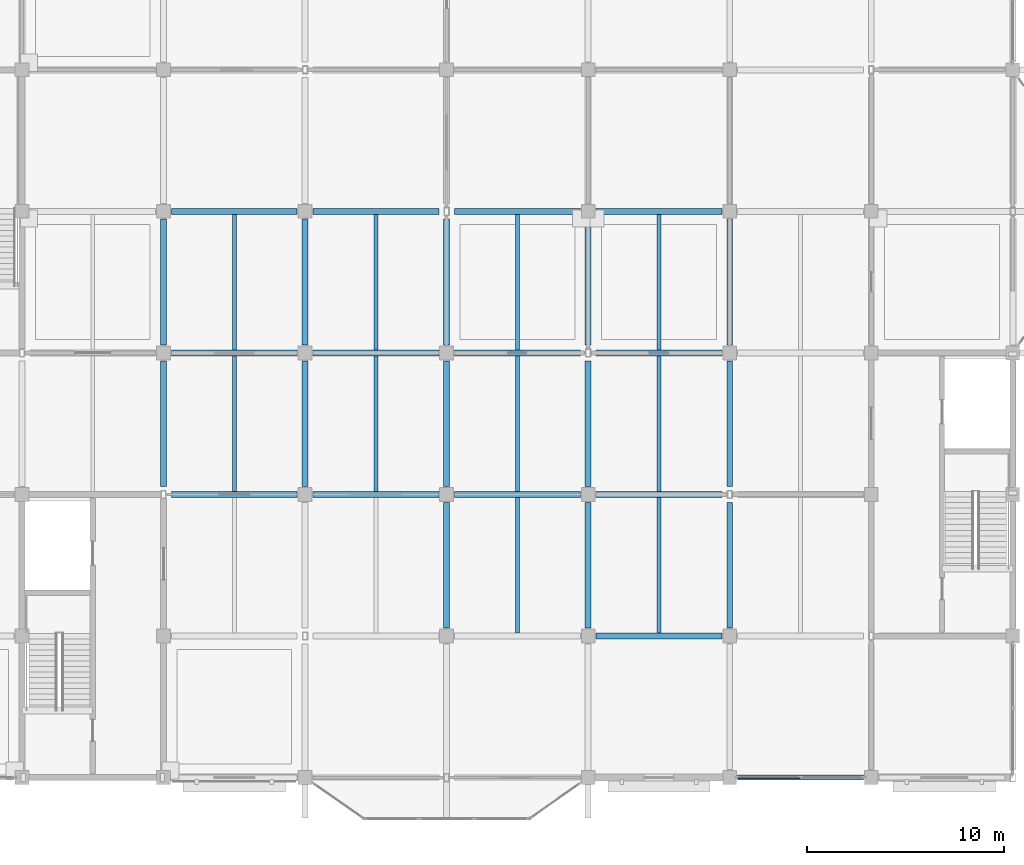
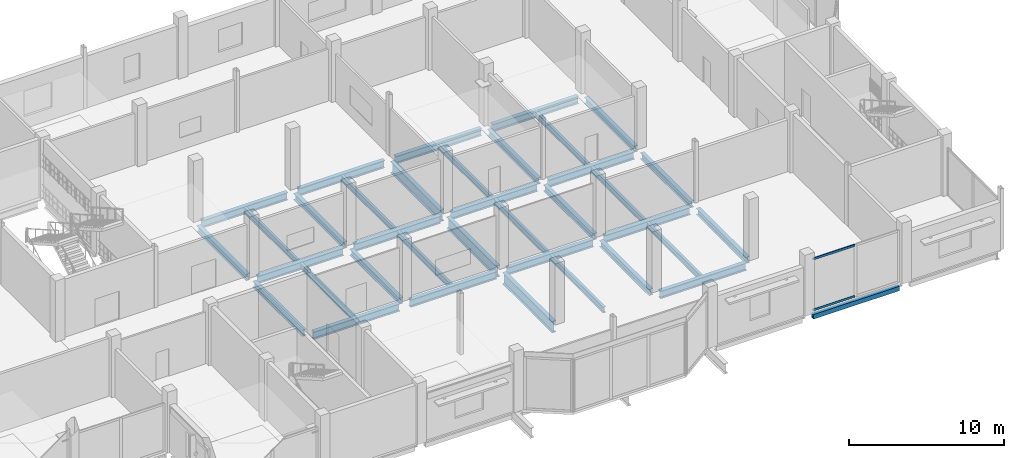
# One storey, part 66 of 120: 37 beams, 2 members, 1 element without a shape of its own.
"""IFC4 building model written with IfcOpenShell, lengths in metres."""

from ifc_helpers import new_model, si_unit, direction, frame, origin, origin_2d, place, context, subcontext, project, spatial, hollow_rectangle, i_section, extrude, material, material_profile, profile_set, type_object, element, aggregate, save


model = new_model("IFC4")

# Units and contexts
model_context = context("Model", 3, precision=1e-05, world=origin(), true_north=direction((0.0, 1.0)))
body_context = subcontext(model_context, "Body", "Model", "MODEL_VIEW")
ifc_project = project(units=[si_unit("LENGTHUNIT", "METRE"), si_unit("AREAUNIT", "SQUARE_METRE"), si_unit("VOLUMEUNIT", "CUBIC_METRE"), si_unit("PLANEANGLEUNIT", "RADIAN"), si_unit("MASSUNIT", "GRAM", prefix="KILO")], contexts=[model_context])

# Site, building, storey
site_placement = place(None, origin())
site = spatial("IfcSite", under=ifc_project, at=site_placement, CompositionType="ELEMENT")
building_placement = place(site_placement, origin())
building = spatial("IfcBuilding", under=site, at=building_placement, Name="Vesperath Aquatics Centre", CompositionType="ELEMENT")
storey_placement = place(building_placement, frame((0.0, 0.0, 10.199951171875)))
storey = spatial("IfcBuildingStorey", under=building, at=storey_placement, Name="L02", CompositionType="ELEMENT", Elevation=10.199951171875)

# Beams
ifc_material_1 = material(Name="Steel Q355D", Category="steel")
ifc_material_profile_1 = material_profile(ifc_material_1, i_section(OverallWidth=0.300048828125, OverallDepth=0.89990234375, WebThickness=0.01611328125, FlangeThickness=0.028076171875, FilletRadius=0.028076171875, at=origin_2d()), Name="HN 900x300x16x28")
ifc_profile_set_1 = profile_set([ifc_material_profile_1], Name="Steel Q355D")
beam_type_1 = type_object("IfcBeamType", Name="BM-G06", PredefinedType="BEAM", material=ifc_profile_set_1)
for number, where, z_axis, x_axis, name in (
    (1, (144.0, 7.60009765625, -0.7099609375), (0.0, 1.0, 0.0), (-1.0, 0.0, 0.0), "Floor Girder B06 L02 21 B-C"),
    (2, (144.0, 14.800048828125, -0.7099609375), (0.0, 1.0, 0.0), (-1.0, 0.0, 0.0), "Floor Girder B06 L02 21 C-D"),
    (3, (144.0, 22.0, -0.7099609375), (0.0, 1.0, 0.0), (-1.0, 0.0, 0.0), "Floor Girder B06 L02 21 D-E"),
):
    element("IfcBeam", number, at=place(storey_placement, frame(where, z_axis=z_axis, x_axis=x_axis)), inside=storey, type_object=beam_type_1, Name=name, PredefinedType="BEAM", context=body_context, shape_type="SweptSolid", body=[
        extrude(i_section(OverallWidth=0.300048828125, OverallDepth=0.89990234375, WebThickness=0.01611328125, FlangeThickness=0.028076171875, FilletRadius=0.028076171875, at=origin_2d()), origin(), (0.0, 0.0, 1.0), 6.39990234375),
    ])
ifc_material_2 = material(Name="Steel Q355C", Category="steel")
ifc_material_profile_2 = material_profile(ifc_material_2, i_section(OverallWidth=0.300048828125, OverallDepth=0.587890625, WebThickness=0.011962890625, FlangeThickness=0.02001953125, FilletRadius=0.028076171875, at=origin_2d()), Name="HM 588x300x12x20")
ifc_profile_set_2 = profile_set([ifc_material_profile_2], Name="Steel Q355C")
beam_type_2 = type_object("IfcBeamType", Name="BM-G09", PredefinedType="BEAM", material=ifc_profile_set_2)
for number, where, z_axis, x_axis, name in (
    (4, (130.0, 14.39990234375, -0.553955078125), (1.0, 0.0, 0.0), (0.0, 1.0, 0.0), "Floor Girder B09 L02 C 19-20"),
    (5, (130.0, 21.60009765625, -0.553955078125), (1.0, 0.0, 0.0), (0.0, 1.0, 0.0), "Floor Girder B09 L02 D 19-20"),
    (6, (130.0, 28.800048828125, -0.553955078125), (1.0, 0.0, 0.0), (0.0, 1.0, 0.0), "Floor Girder B09 L02 E 19-20"),
):
    element("IfcBeam", number, at=place(storey_placement, frame(where, z_axis=z_axis, x_axis=x_axis)), inside=storey, type_object=beam_type_2, Name=name, PredefinedType="BEAM", context=body_context, shape_type="SweptSolid", body=[
        extrude(i_section(OverallWidth=0.300048828125, OverallDepth=0.587890625, WebThickness=0.011962890625, FlangeThickness=0.02001953125, FilletRadius=0.028076171875, at=origin_2d()), origin(), (0.0, 0.0, 1.0), 6.39990234375),
    ])
for number, where, z_axis, x_axis, name in (
    (7, (137.199951171875, 14.39990234375, -0.553955078125), (1.0, 0.0, 0.0), (0.0, 1.0, 0.0), "Floor Girder B09 L02 C 20-21"),
    (8, (137.199951171875, 21.60009765625, -0.553955078125), (1.0, 0.0, 0.0), (0.0, 1.0, 0.0), "Floor Girder B09 L02 D 20-21"),
    (9, (137.199951171875, 28.800048828125, -0.553955078125), (1.0, 0.0, 0.0), (0.0, 1.0, 0.0), "Floor Girder B09 L02 E 20-21"),
    (10, (144.39990234375, 14.39990234375, -0.553955078125), (1.0, 0.0, 0.0), (0.0, 1.0, 0.0), "Floor Girder B09 L02 C 21-22"),
    (11, (144.39990234375, 21.60009765625, -0.553955078125), (1.0, 0.0, 0.0), (0.0, 1.0, 0.0), "Floor Girder B09 L02 D 21-22"),
    (12, (144.39990234375, 28.800048828125, -0.553955078125), (1.0, 0.0, 0.0), (0.0, 1.0, 0.0), "Floor Girder B09 L02 E 21-22"),
):
    element("IfcBeam", number, at=place(storey_placement, frame(where, z_axis=z_axis, x_axis=x_axis)), inside=storey, type_object=beam_type_2, Name=name, PredefinedType="BEAM", context=body_context, shape_type="SweptSolid", body=[
        extrude(i_section(OverallWidth=0.300048828125, OverallDepth=0.587890625, WebThickness=0.011962890625, FlangeThickness=0.02001953125, FilletRadius=0.028076171875, at=origin_2d()), origin(), (0.0, 0.0, 1.0), 6.400146484375),
    ])
for number, where, z_axis, x_axis, name in (
    (13, (151.60009765625, 7.199951171875, -0.553955078125), (1.0, 0.0, 0.0), (0.0, 1.0, 0.0), "Floor Girder B09 L02 B 22-23"),
    (14, (151.60009765625, 14.39990234375, -0.553955078125), (1.0, 0.0, 0.0), (0.0, 1.0, 0.0), "Floor Girder B09 L02 C 22-23"),
    (15, (151.60009765625, 21.60009765625, -0.553955078125), (1.0, 0.0, 0.0), (0.0, 1.0, 0.0), "Floor Girder B09 L02 D 22-23"),
    (16, (151.60009765625, 28.800048828125, -0.553955078125), (1.0, 0.0, 0.0), (0.0, 1.0, 0.0), "Floor Girder B09 L02 E 22-23"),
):
    element("IfcBeam", number, at=place(storey_placement, frame(where, z_axis=z_axis, x_axis=x_axis)), inside=storey, type_object=beam_type_2, Name=name, PredefinedType="BEAM", context=body_context, shape_type="SweptSolid", body=[
        extrude(i_section(OverallWidth=0.300048828125, OverallDepth=0.587890625, WebThickness=0.011962890625, FlangeThickness=0.02001953125, FilletRadius=0.028076171875, at=origin_2d()), origin(), (0.0, 0.0, 1.0), 6.39990234375),
    ])
ifc_material_profile_3 = material_profile(ifc_material_2, i_section(OverallWidth=0.300048828125, OverallDepth=0.488037109375, WebThickness=0.010986328125, FlangeThickness=0.01806640625, FilletRadius=0.02587890625, at=origin_2d()), Name="HM 488x300x11x18")
ifc_profile_set_3 = profile_set([ifc_material_profile_3], Name="Steel Q355C")
beam_type_3 = type_object("IfcBeamType", Name="BM-G10", PredefinedType="BEAM", material=ifc_profile_set_3)
for number, where, z_axis, x_axis, name in (
    (17, (129.60009765625, 14.800048828125, -0.50390625), (0.0, 1.0, 0.0), (-1.0, 0.0, 0.0), "Floor Girder B10 L02 19 C-D"),
    (18, (129.60009765625, 22.0, -0.50390625), (0.0, 1.0, 0.0), (-1.0, 0.0, 0.0), "Floor Girder B10 L02 19 D-E"),
    (19, (136.800048828125, 14.800048828125, -0.50390625), (0.0, 1.0, 0.0), (-1.0, 0.0, 0.0), "Floor Girder B10 L02 20 C-D"),
    (20, (136.800048828125, 22.0, -0.50390625), (0.0, 1.0, 0.0), (-1.0, 0.0, 0.0), "Floor Girder B10 L02 20 D-E"),
    (21, (151.199951171875, 7.60009765625, -0.50390625), (0.0, 1.0, 0.0), (-1.0, 0.0, 0.0), "Floor Girder B10 L02 22 B-C"),
    (22, (151.199951171875, 14.800048828125, -0.50390625), (0.0, 1.0, 0.0), (-1.0, 0.0, 0.0), "Floor Girder B10 L02 22 C-D"),
    (23, (151.199951171875, 22.0, -0.50390625), (0.0, 1.0, 0.0), (-1.0, 0.0, 0.0), "Floor Girder B10 L02 22 D-E"),
    (24, (158.39990234375, 7.60009765625, -0.50390625), (0.0, 1.0, 0.0), (-1.0, 0.0, 0.0), "Floor Girder B10 L02 23 B-C"),
    (25, (158.39990234375, 14.800048828125, -0.50390625), (0.0, 1.0, 0.0), (-1.0, 0.0, 0.0), "Floor Girder B10 L02 23 C-D"),
    (26, (158.39990234375, 22.0, -0.50390625), (0.0, 1.0, 0.0), (-1.0, 0.0, 0.0), "Floor Girder B10 L02 23 D-E"),
):
    element("IfcBeam", number, at=place(storey_placement, frame(where, z_axis=z_axis, x_axis=x_axis)), inside=storey, type_object=beam_type_3, Name=name, PredefinedType="BEAM", context=body_context, shape_type="SweptSolid", body=[
        extrude(i_section(OverallWidth=0.300048828125, OverallDepth=0.488037109375, WebThickness=0.010986328125, FlangeThickness=0.01806640625, FilletRadius=0.02587890625, at=origin_2d()), origin(), (0.0, 0.0, 1.0), 6.39990234375),
    ])
ifc_material_profile_4 = material_profile(ifc_material_2, i_section(OverallWidth=0.199951171875, OverallDepth=0.449951171875, WebThickness=0.009033203125, FlangeThickness=0.013916015625, FilletRadius=0.01611328125, at=origin_2d()), Name="HN 450x200x9x14")
ifc_profile_set_4 = profile_set([ifc_material_profile_4], Name="Steel Q355C")
beam_type_4 = type_object("IfcBeamType", Name="BM-J03", PredefinedType="JOIST", material=ifc_profile_set_4)
for number, where, z_axis, x_axis, name in (
    (27, (133.199951171875, 14.550048828125, -0.48486328125), (0.0, 1.0, 0.0), (-1.0, 0.0, 0.0), "Secondary Floor Joist J03 L02 19/C"),
    (28, (133.199951171875, 21.75, -0.48486328125), (0.0, 1.0, 0.0), (-1.0, 0.0, 0.0), "Secondary Floor Joist J03 L02 19/D"),
    (29, (140.39990234375, 14.550048828125, -0.48486328125), (0.0, 1.0, 0.0), (-1.0, 0.0, 0.0), "Secondary Floor Joist J03 L02 20/C"),
    (30, (140.39990234375, 21.75, -0.48486328125), (0.0, 1.0, 0.0), (-1.0, 0.0, 0.0), "Secondary Floor Joist J03 L02 20/D"),
    (31, (147.60009765625, 7.35009765625, -0.48486328125), (0.0, 1.0, 0.0), (-1.0, 0.0, 0.0), "Secondary Floor Joist J03 L02 21/B"),
    (32, (147.60009765625, 14.550048828125, -0.48486328125), (0.0, 1.0, 0.0), (-1.0, 0.0, 0.0), "Secondary Floor Joist J03 L02 21/C"),
    (33, (147.60009765625, 21.75, -0.48486328125), (0.0, 1.0, 0.0), (-1.0, 0.0, 0.0), "Secondary Floor Joist J03 L02 21/D"),
    (34, (154.800048828125, 7.35009765625, -0.48486328125), (0.0, 1.0, 0.0), (-1.0, 0.0, 0.0), "Secondary Floor Joist J03 L02 22/B"),
    (35, (154.800048828125, 14.550048828125, -0.48486328125), (0.0, 1.0, 0.0), (-1.0, 0.0, 0.0), "Secondary Floor Joist J03 L02 22/C"),
    (36, (154.800048828125, 21.75, -0.48486328125), (0.0, 1.0, 0.0), (-1.0, 0.0, 0.0), "Secondary Floor Joist J03 L02 22/D"),
):
    element("IfcBeam", number, at=place(storey_placement, frame(where, z_axis=z_axis, x_axis=x_axis)), inside=storey, type_object=beam_type_4, Name=name, PredefinedType="JOIST", context=body_context, shape_type="SweptSolid", body=[
        extrude(i_section(OverallWidth=0.199951171875, OverallDepth=0.449951171875, WebThickness=0.009033203125, FlangeThickness=0.013916015625, FilletRadius=0.01611328125, at=origin_2d()), origin(), (0.0, 0.0, 1.0), 6.89990234375),
    ])
ifc_material_profile_5 = material_profile(ifc_material_1, hollow_rectangle(XDim=0.25, YDim=0.35009765625, WallThickness=0.011962890625, at=origin_2d()), Name="RHS 350x250x12")
ifc_profile_set_5 = profile_set([ifc_material_profile_5], Name="Steel Q355D")
beam_type_5 = type_object("IfcBeamType", Name="BM-SP02", PredefinedType="SPANDREL", material=ifc_profile_set_5)
beam_placement = place(storey_placement, frame((158.800048828125, 0.0, -0.43505859375), z_axis=(1.0, 0.0, 0.0), x_axis=(0.0, 1.0, 0.0)))
element("IfcBeam", 37, at=beam_placement, inside=storey, type_object=beam_type_5, Name="Floor Girder SP02 L02 A 23-24", PredefinedType="SPANDREL", context=body_context, shape_type="SweptSolid", body=[
    extrude(hollow_rectangle(XDim=0.25, YDim=0.35009765625, WallThickness=0.011962890625, at=origin_2d()), origin(), (0.0, 0.0, 1.0), 6.39990234375),
])

# Curtain wall, members
ifc_material_3 = material(Name="Thermally broken anodised bronze aluminium curtain wall", Category="aluminium")
curtain_wall_type = type_object("IfcCurtainWallType", Name="CW-06", PredefinedType="NOTDEFINED", material=ifc_material_3)
curtain_wall_placement = place(storey_placement, origin())
curtain_wall = element("IfcCurtainWall", 38, at=curtain_wall_placement, inside=storey, type_object=curtain_wall_type, Name="Facade Curtain Wall CW06 L02_S_22_00", PredefinedType="NOTDEFINED")
ifc_material_4 = material(Name="Thermally broken anodised aluminium", Category="aluminium")
ifc_material_profile_6 = material_profile(ifc_material_4, hollow_rectangle(XDim=0.070068359375, YDim=0.159912109375, WallThickness=0.0048828125, at=origin_2d()), Name="CWT 70x160x5")
ifc_profile_set_6 = profile_set([ifc_material_profile_6], Name="Thermally broken anodised aluminium")
member_type = type_object("IfcMemberType", Name="MB-CWT2", PredefinedType="USERDEFINED", material=ifc_profile_set_6)
member_1_placement = place(storey_placement, frame((158.820068359375, 0.0, 0.03515625), z_axis=(1.0, 0.0, 0.0), x_axis=(0.0, 1.0, 0.0)))
member_1 = element("IfcMember", 39, at=member_1_placement, type_object=member_type, Name="CW06 transom 1.1", ObjectType="TRANSOM", PredefinedType="USERDEFINED", context=body_context, shape_type="SweptSolid", body=[
    extrude(hollow_rectangle(XDim=0.070068359375, YDim=0.159912109375, WallThickness=0.0048828125, at=origin_2d()), origin(), (0.0, 0.0, 1.0), 3.14501953125),
])
member_2_placement = place(storey_placement, frame((158.820068359375, 0.0, 4.037109375), z_axis=(1.0, 0.0, 0.0), x_axis=(0.0, 1.0, 0.0)))
member_2 = element("IfcMember", 40, at=member_2_placement, type_object=member_type, Name="CW06 transom 1.2", ObjectType="TRANSOM", PredefinedType="USERDEFINED", context=body_context, shape_type="SweptSolid", body=[
    extrude(hollow_rectangle(XDim=0.070068359375, YDim=0.159912109375, WallThickness=0.0048828125, at=origin_2d()), origin(), (0.0, 0.0, 1.0), 3.14501953125),
])
aggregate(curtain_wall, [member_1, member_2])

save(model, "model.ifc")
